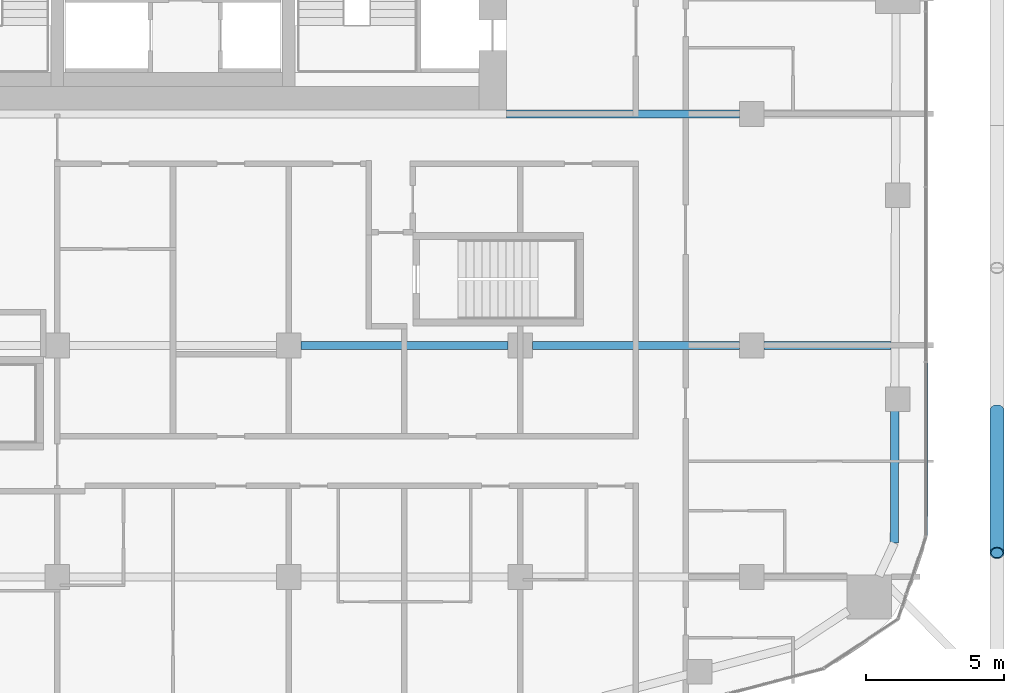
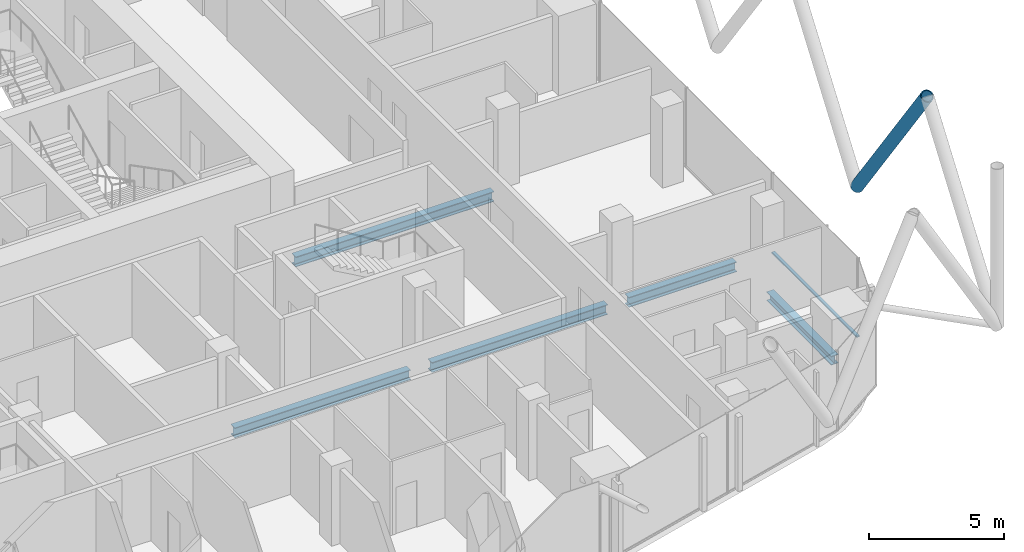
# One storey, part 7 of 33: 5 beams, 2 members, 1 element without a shape of its own.
"""IFC4 building model written with IfcOpenShell, lengths in metres."""

from ifc_helpers import new_model, si_unit, direction, frame, origin, origin_2d, place, context, subcontext, project, spatial, rectangle, hollow_circle, i_section, extrude, material, layer, layer_set, material_profile, profile_set, type_object, element, aggregate, save


model = new_model("IFC4")

# Units and contexts
model_context = context("Model", 3, precision=1e-05, world=origin(), true_north=direction((0.0, 1.0)))
body_context = subcontext(model_context, "Body", "Model", "MODEL_VIEW")
ifc_project = project(units=[si_unit("LENGTHUNIT", "METRE"), si_unit("AREAUNIT", "SQUARE_METRE"), si_unit("VOLUMEUNIT", "CUBIC_METRE"), si_unit("PLANEANGLEUNIT", "RADIAN"), si_unit("MASSUNIT", "GRAM", prefix="KILO")], contexts=[model_context])

# Site, building, storey
site_placement = place(None, origin())
site = spatial("IfcSite", under=ifc_project, at=site_placement, CompositionType="ELEMENT")
building_placement = place(site_placement, origin())
building = spatial("IfcBuilding", under=site, at=building_placement, Name="Marenta Gate Hotel Tower", CompositionType="ELEMENT")
storey_placement = place(building_placement, frame((0.0, 0.0, 151.699951171875)))
storey = spatial("IfcBuildingStorey", under=building, at=storey_placement, Name="L35", CompositionType="ELEMENT", Elevation=151.699951171875)

# Member
ifc_material_1 = material(Name="Steel S355J2W", Category="steel")
ifc_material_profile_1 = material_profile(ifc_material_1, hollow_circle(Radius=0.25390625, WallThickness=0.0400390625, at=origin_2d()), Name="CHS 508x40")
ifc_profile_set_1 = profile_set([ifc_material_profile_1], Name="Steel S355J2W")
member_type_1 = type_object("IfcMemberType", Name="Diagrid diagonal Z2 CHS 508x40", PredefinedType="BRACE", material=ifc_profile_set_1)
member_1_placement = place(storey_placement, frame((29.89990234375, -10.760009765625, 3.14013671875), z_axis=(0.0, -0.583279014058, 0.812271870595), x_axis=(1.0, 0.0, 0.0)))
element("IfcMember", 1, at=member_1_placement, inside=storey, type_object=member_type_1, Name="L35-DG-9", PredefinedType="BRACE", context=body_context, shape_type="SweptSolid", body=[
    extrude(hollow_circle(Radius=0.25390625, WallThickness=0.0400390625, at=origin_2d()), origin(), (0.0, 0.0, 1.0), 8.864013671875),
])

# Beams
ifc_material_2 = material(Name="Steel S355", Category="steel")
ifc_material_profile_2 = material_profile(ifc_material_2, i_section(OverallWidth=0.300048828125, OverallDepth=0.39990234375, WebThickness=0.013427734375, FlangeThickness=0.02392578125, FilletRadius=0.027099609375, at=origin_2d()), Name="HEB 400")
ifc_profile_set_2 = profile_set([ifc_material_profile_2], Name="Steel S355")
beam_type_1 = type_object("IfcBeamType", Name="Edge beam HEB 400", PredefinedType="SPANDREL", material=ifc_profile_set_2)
beam_1_placement = place(storey_placement, frame((26.191162109375, -10.761962890625, -0.4599609375), z_axis=(-0.003353298899, -0.999994377677, 0.0), x_axis=(0.999994377677, -0.003353298899, 0.0)))
element("IfcBeam", 2, at=beam_1_placement, inside=storey, type_object=beam_type_1, Name="L35-EB-27", PredefinedType="SPANDREL", context=body_context, shape_type="SweptSolid", body=[
    extrude(i_section(OverallWidth=0.300048828125, OverallDepth=0.39990234375, WebThickness=0.013427734375, FlangeThickness=0.02392578125, FilletRadius=0.027099609375, at=origin_2d()), origin(), (0.0, 0.0, 1.0), 4.80517578125),
])
ifc_material_3 = material(Name="Steel S355", Category="steel")
ifc_material_profile_3 = material_profile(ifc_material_3, i_section(OverallWidth=0.300048828125, OverallDepth=0.449951171875, WebThickness=0.013916015625, FlangeThickness=0.02587890625, FilletRadius=0.027099609375, at=origin_2d()), Name="HEB 450")
ifc_profile_set_3 = profile_set([ifc_material_profile_3], Name="Steel S355")
beam_type_2 = type_object("IfcBeamType", Name="Girder HEB 450", PredefinedType="BEAM", material=ifc_profile_set_3)
for number, where, z_axis, x_axis, name in (
    (3, (4.64990234375, -8.39990234375, -0.48486328125), (1.0, 0.0, 0.0), (0.0, 1.0, 0.0), "L35-GD-12"),
    (4, (13.050048828125, -8.39990234375, -0.48486328125), (1.0, 0.0, 0.0), (0.0, 1.0, 0.0), "L35-GD-13"),
):
    element("IfcBeam", number, at=place(storey_placement, frame(where, z_axis=z_axis, x_axis=x_axis)), inside=storey, type_object=beam_type_2, Name=name, PredefinedType="BEAM", context=body_context, shape_type="SweptSolid", body=[
        extrude(i_section(OverallWidth=0.300048828125, OverallDepth=0.449951171875, WebThickness=0.013916015625, FlangeThickness=0.02587890625, FilletRadius=0.027099609375, at=origin_2d()), origin(), (0.0, 0.0, 1.0), 7.5),
    ])
beam_2_placement = place(storey_placement, frame((21.449951171875, -8.39990234375, -0.48486328125), z_axis=(1.0, 0.0, 0.0), x_axis=(0.0, 1.0, 0.0)))
element("IfcBeam", 5, at=beam_2_placement, inside=storey, type_object=beam_type_2, Name="L35-GD-14", PredefinedType="BEAM", context=body_context, shape_type="SweptSolid", body=[
    extrude(i_section(OverallWidth=0.300048828125, OverallDepth=0.449951171875, WebThickness=0.013916015625, FlangeThickness=0.02587890625, FilletRadius=0.027099609375, at=origin_2d()), origin(), (0.0, 0.0, 1.0), 4.59912109375),
])
beam_3_placement = place(storey_placement, frame((12.10009765625, 0.0, -0.48486328125), z_axis=(1.0, 0.0, 0.0), x_axis=(0.0, 1.0, 0.0)))
element("IfcBeam", 6, at=beam_3_placement, inside=storey, type_object=beam_type_2, Name="L35-GD-18", PredefinedType="BEAM", context=body_context, shape_type="SweptSolid", body=[
    extrude(i_section(OverallWidth=0.300048828125, OverallDepth=0.449951171875, WebThickness=0.013916015625, FlangeThickness=0.02587890625, FilletRadius=0.027099609375, at=origin_2d()), origin(), (0.0, 0.0, 1.0), 8.449951171875),
])

# Curtain wall, member
ifc_material_4 = material(Name="Tinted insulated glass in bronze anodised frame", Category="glass")
ifc_layer = layer(ifc_material_4, 0.1201171875)
ifc_layer_set = layer_set([ifc_layer], Name="Tinted insulated glass in bronze anodised frame")
curtain_wall_type = type_object("IfcCurtainWallType", Name="Tower unitised curtain wall CW1", PredefinedType="NOTDEFINED", material=ifc_layer_set)
curtain_wall_placement = place(storey_placement, origin())
curtain_wall = element("IfcCurtainWall", 7, at=curtain_wall_placement, inside=storey, type_object=curtain_wall_type, Name="CW1 run G19", PredefinedType="NOTDEFINED")
ifc_material_5 = material(Name="Bronze anodised aluminium", Category="aluminium")
ifc_material_profile_4 = material_profile(ifc_material_5, rectangle(XDim=0.1201171875, YDim=0.06005859375, at=origin_2d()), Name="Transom CW1 60x120 bronze anodised aluminium")
ifc_profile_set_4 = profile_set([ifc_material_profile_4], Name="Bronze anodised aluminium")
member_type_2 = type_object("IfcMemberType", Name="Transom CW1 60x120 bronze anodised aluminium", PredefinedType="USERDEFINED", material=ifc_profile_set_4)
member_2_placement = place(storey_placement, frame((27.31396484375, -15.30810546875, 0.030029296875), z_axis=(0.0, 1.0, 0.0), x_axis=(-1.0, 0.0, 0.0)))
member_2 = element("IfcMember", 8, at=member_2_placement, type_object=member_type_2, Name="CW1 transom 1.1", ObjectType="TRANSOM", PredefinedType="USERDEFINED", context=body_context, shape_type="SweptSolid", body=[
    extrude(rectangle(XDim=0.1201171875, YDim=0.06005859375, at=origin_2d()), origin(), (0.0, 0.0, 1.0), 6.27001953125),
])
aggregate(curtain_wall, [member_2])

save(model, "model.ifc")
